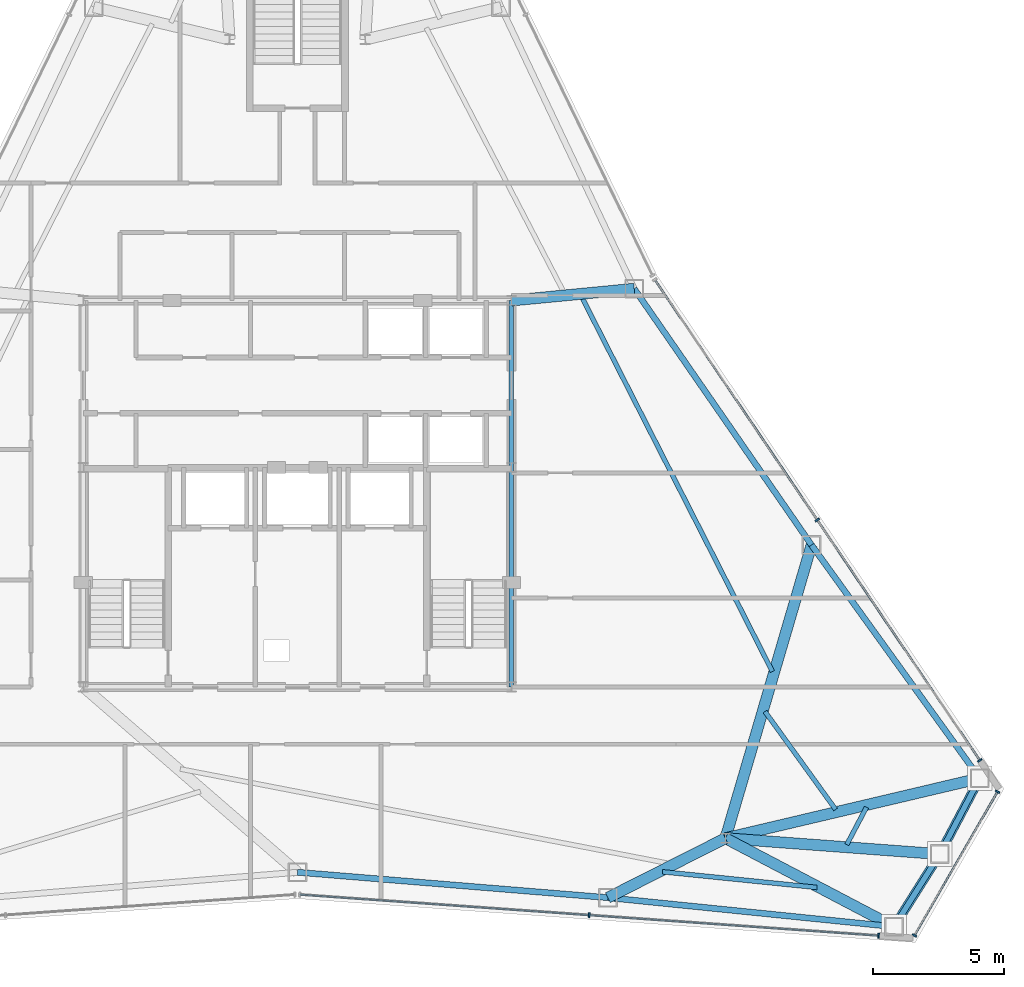
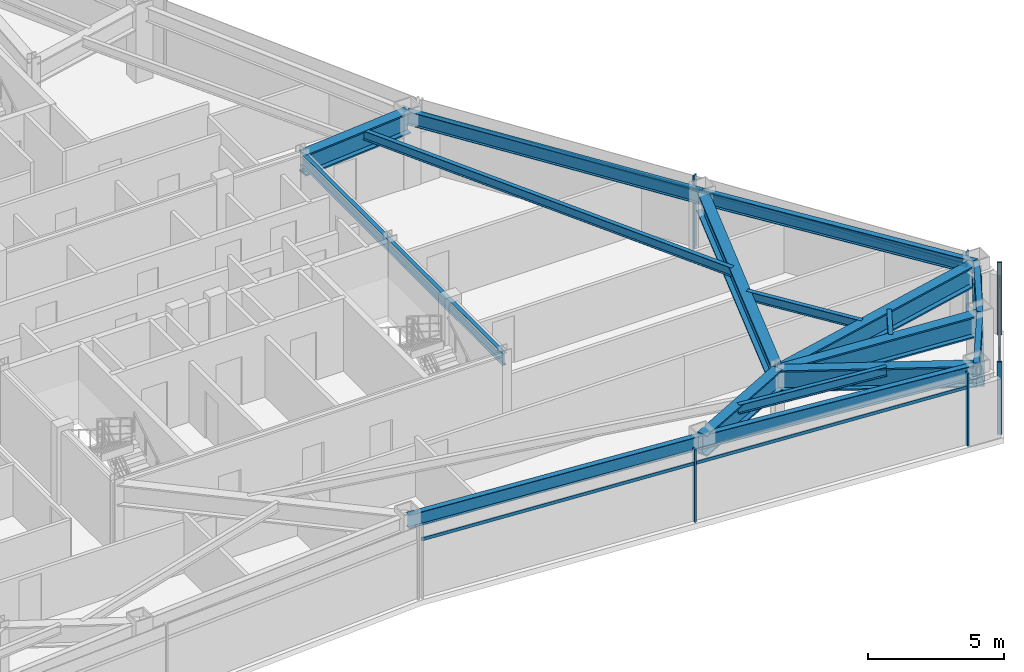
# One storey, part 6 of 12: 17 beams, 11 members, 3 elements without a shape of their own.
"""IFC4 building model written with IfcOpenShell, lengths in metres."""

from ifc_helpers import new_model, si_unit, direction, frame, origin, origin_2d, place, context, subcontext, project, spatial, rectangle, hollow_rectangle, i_section, extrude, source, transform, mapped, material, layer, layer_set, material_profile, profile_set, type_object, type_shapes, element, aggregate, save


model = new_model("IFC4")

# Units and contexts
model_context = context("Model", 3, precision=1e-05, world=origin(), true_north=direction((0.0, 1.0)))
body_context = subcontext(model_context, "Body", "Model", "MODEL_VIEW")
ifc_project = project(units=[si_unit("LENGTHUNIT", "METRE"), si_unit("AREAUNIT", "SQUARE_METRE"), si_unit("VOLUMEUNIT", "CUBIC_METRE"), si_unit("PLANEANGLEUNIT", "RADIAN"), si_unit("MASSUNIT", "GRAM", prefix="KILO")], contexts=[model_context])

# Site, building, storey
site_placement = place(None, origin())
site = spatial("IfcSite", under=ifc_project, at=site_placement, CompositionType="ELEMENT")
building_placement = place(site_placement, origin())
building = spatial("IfcBuilding", under=site, at=building_placement, Name="Varakhsha Concourse Tower", CompositionType="ELEMENT")
storey_placement = place(building_placement, frame((0.0, 0.0, 208.39990234375)))
storey = spatial("IfcBuildingStorey", under=building, at=storey_placement, Name="L59", CompositionType="ELEMENT", Elevation=208.39990234375)

# Beams
ifc_material_1 = material(Name="Structural Steel ASTM A992 Grade 50", Category="steel")
ifc_material_profile_1 = material_profile(ifc_material_1, i_section(OverallWidth=0.177978515625, OverallDepth=0.406982421875, WebThickness=0.008056640625, FlangeThickness=0.012939453125, at=origin_2d()), Name="W16X40")
ifc_profile_set_1 = profile_set([ifc_material_profile_1], Name="Structural Steel ASTM A992 Grade 50")
beam_type_1 = type_object("IfcBeamType", Name="BM-JST-W16X40", PredefinedType="JOIST", material=ifc_profile_set_1)
beam_1_placement = place(storey_placement, frame((53.988525390625, 9.314208984375, 3.046630859375), z_axis=(0.994880799666, -0.101055402902, 0.0), x_axis=(0.101055402902, 0.994880799666, 0.0)))
element("IfcBeam", 1, at=beam_1_placement, inside=storey, type_object=beam_type_1, Name="BM-TJST-L59-12", PredefinedType="JOIST", context=body_context, shape_type="SweptSolid", body=[
    extrude(i_section(OverallWidth=0.177978515625, OverallDepth=0.406982421875, WebThickness=0.008056640625, FlangeThickness=0.012939453125, at=origin_2d()), origin(), (0.0, 0.0, 1.0), 5.950439453125),
])
beam_2_placement = place(storey_placement, frame((61.04931640625, 10.356201171875, 3.046630859375), z_axis=(0.466578529468, 0.884479776953, 0.0), x_axis=(-0.884479776953, 0.466578529468, 0.0)))
element("IfcBeam", 2, at=beam_2_placement, inside=storey, type_object=beam_type_1, Name="BM-TJST-L59-14", PredefinedType="JOIST", context=body_context, shape_type="SweptSolid", body=[
    extrude(i_section(OverallWidth=0.177978515625, OverallDepth=0.406982421875, WebThickness=0.008056640625, FlangeThickness=0.012939453125, at=origin_2d()), origin(), (0.0, 0.0, 1.0), 1.6201171875),
])
beam_3_placement = place(storey_placement, frame((60.622802734375, 11.699951171875, 3.046630859375), z_axis=(-0.584929922195, 0.811083834213, 0.0), x_axis=(-0.811083834213, -0.584929922195, 0.0)))
element("IfcBeam", 3, at=beam_3_placement, inside=storey, type_object=beam_type_1, Name="BM-TJST-L59-15", PredefinedType="JOIST", context=body_context, shape_type="SweptSolid", body=[
    extrude(i_section(OverallWidth=0.177978515625, OverallDepth=0.406982421875, WebThickness=0.008056640625, FlangeThickness=0.012939453125, at=origin_2d()), origin(), (0.0, 0.0, 1.0), 4.6279296875),
])
beam_4_placement = place(storey_placement, frame((58.197265625, 16.989013671875, 3.046630859375), z_axis=(-0.453599715257, 0.891205530907, 0.0), x_axis=(-0.891205530907, -0.453599715257, 0.0)))
element("IfcBeam", 4, at=beam_4_placement, inside=storey, type_object=beam_type_1, Name="BM-TJST-L59-16", PredefinedType="JOIST", context=body_context, shape_type="SweptSolid", body=[
    extrude(i_section(OverallWidth=0.177978515625, OverallDepth=0.406982421875, WebThickness=0.008056640625, FlangeThickness=0.012939453125, at=origin_2d()), origin(), (0.0, 0.0, 1.0), 16.119384765625),
])
ifc_material_profile_2 = material_profile(ifc_material_1, i_section(OverallWidth=0.423095703125, OverallDepth=0.947998046875, WebThickness=0.0380859375, FlangeThickness=0.06396484375, at=origin_2d()), Name="W36X302")
ifc_profile_set_2 = profile_set([ifc_material_profile_2], Name="Structural Steel ASTM A992 Grade 50")
beam_type_2 = type_object("IfcBeamType", Name="BM-OUTR-W36X302", PredefinedType="USERDEFINED", material=ifc_profile_set_2)
beam_5_placement = place(storey_placement, frame((56.39990234375, 10.60009765625, 2.776123046875), z_axis=(-0.892365691824, -0.451313053274, 0.0), x_axis=(0.451313053274, -0.892365691824, 0.0)))
element("IfcBeam", 5, at=beam_5_placement, inside=storey, type_object=beam_type_2, Name="L59 Radial Floor Girder 12", ObjectType="GIRDER", PredefinedType="USERDEFINED", context=body_context, shape_type="SweptSolid", body=[
    extrude(i_section(OverallWidth=0.423095703125, OverallDepth=0.947998046875, WebThickness=0.0380859375, FlangeThickness=0.06396484375, at=origin_2d()), origin(), (0.0, 0.0, 1.0), 5.04443359375),
])
beam_6_placement = place(storey_placement, frame((56.39990234375, 10.60009765625, 2.776123046875), z_axis=(0.885501860742, -0.464635830111, 0.0), x_axis=(0.464635830111, 0.885501860742, 0.0)))
element("IfcBeam", 6, at=beam_6_placement, inside=storey, type_object=beam_type_2, Name="L59 Radial Floor Girder 13", ObjectType="GIRDER", PredefinedType="USERDEFINED", context=body_context, shape_type="SweptSolid", body=[
    extrude(i_section(OverallWidth=0.423095703125, OverallDepth=0.947998046875, WebThickness=0.0380859375, FlangeThickness=0.06396484375, at=origin_2d()), origin(), (0.0, 0.0, 1.0), 7.2958984375),
])
beam_7_placement = place(storey_placement, frame((56.39990234375, 10.60009765625, 2.776123046875), z_axis=(0.997261601939, -0.073954697607, 0.0), x_axis=(0.073954697607, 0.997261601939, 0.0)))
element("IfcBeam", 7, at=beam_7_placement, inside=storey, type_object=beam_type_2, Name="L59 Radial Floor Girder 14", ObjectType="GIRDER", PredefinedType="USERDEFINED", context=body_context, shape_type="SweptSolid", body=[
    extrude(i_section(OverallWidth=0.423095703125, OverallDepth=0.947998046875, WebThickness=0.0380859375, FlangeThickness=0.06396484375, at=origin_2d()), origin(), (0.0, 0.0, 1.0), 8.233154296875),
])
beam_8_placement = place(storey_placement, frame((56.39990234375, 10.60009765625, 2.776123046875), z_axis=(0.973318249516, 0.229459332257, 0.0), x_axis=(-0.229459332257, 0.973318249516, 0.0)))
element("IfcBeam", 8, at=beam_8_placement, inside=storey, type_object=beam_type_2, Name="L59 Radial Floor Girder 15", ObjectType="GIRDER", PredefinedType="USERDEFINED", context=body_context, shape_type="SweptSolid", body=[
    extrude(i_section(OverallWidth=0.423095703125, OverallDepth=0.947998046875, WebThickness=0.0380859375, FlangeThickness=0.06396484375, at=origin_2d()), origin(), (0.0, 0.0, 1.0), 10.010986328125),
])
beam_9_placement = place(storey_placement, frame((56.39990234375, 10.60009765625, 2.776123046875), z_axis=(0.281739548175, 0.959490920746, 0.0), x_axis=(-0.959490920746, 0.281739548175, 0.0)))
element("IfcBeam", 9, at=beam_9_placement, inside=storey, type_object=beam_type_2, Name="L59 Radial Floor Girder 16", ObjectType="GIRDER", PredefinedType="USERDEFINED", context=body_context, shape_type="SweptSolid", body=[
    extrude(i_section(OverallWidth=0.423095703125, OverallDepth=0.947998046875, WebThickness=0.0380859375, FlangeThickness=0.06396484375, at=origin_2d()), origin(), (0.0, 0.0, 1.0), 11.7080078125),
])
beam_10_placement = place(storey_placement, frame((48.199951171875, 31.199951171875, 2.776123046875), z_axis=(0.995426515274, 0.095530375746, 0.0), x_axis=(-0.095530375746, 0.995426515274, 0.0)))
element("IfcBeam", 10, at=beam_10_placement, inside=storey, type_object=beam_type_2, Name="L59 Radial Floor Girder 17", ObjectType="GIRDER", PredefinedType="USERDEFINED", context=body_context, shape_type="SweptSolid", body=[
    extrude(i_section(OverallWidth=0.423095703125, OverallDepth=0.947998046875, WebThickness=0.0380859375, FlangeThickness=0.06396484375, at=origin_2d()), origin(), (0.0, 0.0, 1.0), 4.72802734375),
])
ifc_material_profile_3 = material_profile(ifc_material_1, i_section(OverallWidth=0.1669921875, OverallDepth=0.534912109375, WebThickness=0.010009765625, FlangeThickness=0.01708984375, at=origin_2d()), Name="W21X57")
ifc_profile_set_3 = profile_set([ifc_material_profile_3], Name="Structural Steel ASTM A992 Grade 50")
beam_type_3 = type_object("IfcBeamType", Name="BM-RAD-W21X57", PredefinedType="BEAM", material=ifc_profile_set_3)
beam_11_placement = place(storey_placement, frame((48.199951171875, 16.39990234375, 2.982666015625), z_axis=(0.0, 1.0, 0.0), x_axis=(-1.0, 0.0, 0.0)))
element("IfcBeam", 11, at=beam_11_placement, inside=storey, type_object=beam_type_3, Name="BM-TCORE-L59-CE", PredefinedType="BEAM", context=body_context, shape_type="SweptSolid", body=[
    extrude(i_section(OverallWidth=0.1669921875, OverallDepth=0.534912109375, WebThickness=0.010009765625, FlangeThickness=0.01708984375, at=origin_2d()), origin(), (0.0, 0.0, 1.0), 14.800048828125),
])
ifc_material_profile_4 = material_profile(ifc_material_1, i_section(OverallWidth=0.22900390625, OverallDepth=0.612060546875, WebThickness=0.011962890625, FlangeThickness=0.02001953125, at=origin_2d()), Name="W24X84")
ifc_profile_set_4 = profile_set([ifc_material_profile_4], Name="Structural Steel ASTM A992 Grade 50")
beam_type_4 = type_object("IfcBeamType", Name="BM-SPAN-W24X84", PredefinedType="SPANDREL", material=ifc_profile_set_4)
beam_12_placement = place(storey_placement, frame((40.0, 9.297119140625, 2.944091796875), z_axis=(0.996668757849, -0.081556036735, 0.0), x_axis=(0.081556036735, 0.996668757849, 0.0)))
element("IfcBeam", 12, at=beam_12_placement, inside=storey, type_object=beam_type_4, Name="BM-SPAN-L59-11", PredefinedType="SPANDREL", context=body_context, shape_type="SweptSolid", body=[
    extrude(i_section(OverallWidth=0.22900390625, OverallDepth=0.612060546875, WebThickness=0.011962890625, FlangeThickness=0.02001953125, at=origin_2d()), origin(), (0.0, 0.0, 1.0), 11.938232421875),
])
beam_13_placement = place(storey_placement, frame((51.8984375, 8.323486328125, 2.944091796875), z_axis=(0.994882436683, -0.101039285329, 0.0), x_axis=(0.101039285329, 0.994882436683, 0.0)))
element("IfcBeam", 13, at=beam_13_placement, inside=storey, type_object=beam_type_4, Name="BM-SPAN-L59-12", PredefinedType="SPANDREL", context=body_context, shape_type="SweptSolid", body=[
    extrude(i_section(OverallWidth=0.22900390625, OverallDepth=0.612060546875, WebThickness=0.011962890625, FlangeThickness=0.02001953125, at=origin_2d()), origin(), (0.0, 0.0, 1.0), 11.018310546875),
])
beam_14_placement = place(storey_placement, frame((62.8603515625, 7.210205078125, 2.944091796875), z_axis=(0.532647729471, 0.846337046506, 0.0), x_axis=(-0.846337046506, 0.532647729471, 0.0)))
element("IfcBeam", 14, at=beam_14_placement, inside=storey, type_object=beam_type_4, Name="BM-SPAN-L59-13", PredefinedType="SPANDREL", context=body_context, shape_type="SweptSolid", body=[
    extrude(i_section(OverallWidth=0.22900390625, OverallDepth=0.612060546875, WebThickness=0.011962890625, FlangeThickness=0.02001953125, at=origin_2d()), origin(), (0.0, 0.0, 1.0), 3.285888671875),
])
beam_15_placement = place(storey_placement, frame((64.610595703125, 9.9912109375, 2.944091796875), z_axis=(0.466634310193, 0.884450349398, 0.0), x_axis=(-0.884450349398, 0.466634310193, 0.0)))
element("IfcBeam", 15, at=beam_15_placement, inside=storey, type_object=beam_type_4, Name="BM-SPAN-L59-14", PredefinedType="SPANDREL", context=body_context, shape_type="SweptSolid", body=[
    extrude(i_section(OverallWidth=0.22900390625, OverallDepth=0.612060546875, WebThickness=0.011962890625, FlangeThickness=0.02001953125, at=origin_2d()), origin(), (0.0, 0.0, 1.0), 3.28564453125),
])
beam_16_placement = place(storey_placement, frame((66.143798828125, 12.897216796875, 2.944091796875), z_axis=(-0.584962960084, 0.811060007231, 0.0), x_axis=(-0.811060007231, -0.584962960084, 0.0)))
element("IfcBeam", 16, at=beam_16_placement, inside=storey, type_object=beam_type_4, Name="BM-SPAN-L59-15", PredefinedType="SPANDREL", context=body_context, shape_type="SweptSolid", body=[
    extrude(i_section(OverallWidth=0.22900390625, OverallDepth=0.612060546875, WebThickness=0.011962890625, FlangeThickness=0.02001953125, at=origin_2d()), origin(), (0.0, 0.0, 1.0), 11.018310546875),
])
beam_17_placement = place(storey_placement, frame((59.698486328125, 21.833740234375, 2.944091796875), z_axis=(-0.568940907467, 0.822378406703, 0.0), x_axis=(-0.822378406703, -0.568940907467, 0.0)))
element("IfcBeam", 17, at=beam_17_placement, inside=storey, type_object=beam_type_4, Name="BM-SPAN-L59-16", PredefinedType="SPANDREL", context=body_context, shape_type="SweptSolid", body=[
    extrude(i_section(OverallWidth=0.22900390625, OverallDepth=0.612060546875, WebThickness=0.011962890625, FlangeThickness=0.02001953125, at=origin_2d()), origin(), (0.0, 0.0, 1.0), 11.9384765625),
])

# Members
ifc_material_2 = material(Name="Structural Steel ASTM A500 Grade C", Category="steel")
ifc_material_profile_5 = material_profile(ifc_material_2, hollow_rectangle(XDim=0.35009765625, YDim=0.35009765625, WallThickness=0.01611328125, at=origin_2d()), Name="HSS 350x350x16")
ifc_profile_set_5 = profile_set([ifc_material_profile_5], Name="Structural Steel ASTM A500 Grade C")
member_type_1 = type_object("IfcMemberType", Name="MB-TUBE-HSS350", PredefinedType="BRACE", material=ifc_profile_set_5)
shared_shape_1 = source(origin(), body_context, "Body", "SweptSolid", [
    extrude(hollow_rectangle(XDim=0.35009765625, YDim=0.35009765625, WallThickness=0.01611328125, at=origin_2d()), origin(), (0.0, 0.0, 1.0), 4.33642578125),
])
member_1_placement = place(storey_placement, frame((64.610595703125, 9.9912109375, 0.1201171875), z_axis=(0.353560633732, 0.670132519637, 0.652623386342), x_axis=(-0.884450349398, 0.466634310193, 0.0)))
element("IfcMember", 18, at=member_1_placement, inside=storey, type_object=member_type_1, Name="L59 Wind-Corner Tube Brace B06", PredefinedType="BRACE", context=body_context, shape_type="MappedRepresentation", body=[
    mapped(shared_shape_1, transform((0.0, 0.0, 0.0), scale=1.0)),
])
shared_shape_2 = source(origin(), body_context, "Body", "SweptSolid", [
    extrude(hollow_rectangle(XDim=0.35009765625, YDim=0.35009765625, WallThickness=0.01611328125, at=origin_2d()), origin(), (0.0, 0.0, 1.0), 4.336669921875),
])
type_shapes(member_type_1, [shared_shape_1, shared_shape_2])
member_2_placement = place(storey_placement, frame((64.610595703125, 9.9912109375, 0.1201171875), z_axis=(-0.403591903834, -0.641277078612, 0.652592739468), x_axis=(0.846337046506, -0.532647729471, 0.0)))
element("IfcMember", 19, at=member_2_placement, inside=storey, type_object=member_type_1, Name="L59 Wind-Corner Tube Brace B05", PredefinedType="BRACE", context=body_context, shape_type="MappedRepresentation", body=[
    mapped(shared_shape_2, transform((0.0, 0.0, 0.0), scale=1.0)),
])

# Curtain wall, members
ifc_material_3 = material(Name="Anodised Bronze Architectural Aluminium AA 6063-T6", Category="aluminium")
ifc_layer = layer(ifc_material_3, 0.199951171875, Name="CW-SYS-05")
ifc_layer_set = layer_set([ifc_layer], Name="Anodised Bronze Architectural Aluminium AA 6063-T6")
curtain_wall_type = type_object("IfcCurtainWallType", Name="CW-SYS-05", PredefinedType="NOTDEFINED", material=ifc_layer_set)
curtain_wall_1_placement = place(storey_placement, origin())
curtain_wall_1 = element("IfcCurtainWall", 20, at=curtain_wall_1_placement, inside=storey, type_object=curtain_wall_type, Name="L59 Crystal Curtain Wall F6", PredefinedType="NOTDEFINED")
ifc_material_profile_6 = material_profile(ifc_material_3, rectangle(XDim=0.06494140625, YDim=0.179931640625, at=origin_2d()), Name="CWM-180X65")
ifc_profile_set_6 = profile_set([ifc_material_profile_6], Name="Anodised Bronze Architectural Aluminium AA 6063-T6")
member_type_2 = type_object("IfcMemberType", Name="CWM-180X65", PredefinedType="MULLION", material=ifc_profile_set_6)
shared_shape_3 = source(origin(), body_context, "Body", "SweptSolid", [
    extrude(rectangle(XDim=0.06494140625, YDim=0.179931640625, at=origin_2d()), origin(), (0.0, 0.0, 1.0), 3.25),
])
type_shapes(member_type_2, [shared_shape_3])
member_3_placement = place(storey_placement, frame((62.267578125, 6.86669921875, 0.0), z_axis=(0.0, 0.0, 1.0), x_axis=(-0.997496012116, 0.070722739, 0.0)))
member_3 = element("IfcMember", 21, at=member_3_placement, type_object=member_type_2, Name="CW-L59-F6 Mullion 00", PredefinedType="MULLION", context=body_context, shape_type="MappedRepresentation", body=[
    mapped(shared_shape_3, transform((0.0, 0.0, 0.0), scale=1.0)),
])
member_4_placement = place(storey_placement, frame((51.17919921875, 7.65283203125, 0.0), z_axis=(0.0, 0.0, 1.0), x_axis=(-0.997496012116, 0.070722739, 0.0)))
member_4 = element("IfcMember", 22, at=member_4_placement, type_object=member_type_2, Name="CW-L59-F6 Mullion 01", PredefinedType="MULLION", context=body_context, shape_type="MappedRepresentation", body=[
    mapped(shared_shape_3, transform((0.0, 0.0, 0.0), scale=1.0)),
])

curtain_wall_2_placement = place(storey_placement, origin())
curtain_wall_2 = element("IfcCurtainWall", 23, at=curtain_wall_2_placement, inside=storey, type_object=curtain_wall_type, Name="L59 Chamfer Curtain Wall F7", PredefinedType="NOTDEFINED")
member_5_placement = place(storey_placement, frame((66.823974609375, 12.385009765625, 0.0), z_axis=(0.0, 0.0, 1.0), x_axis=(-0.49999395399, -0.866028894422, 0.0)))
member_5 = element("IfcMember", 24, at=member_5_placement, type_object=member_type_2, Name="CW-L59-F7 Mullion 00", PredefinedType="MULLION", context=body_context, shape_type="MappedRepresentation", body=[
    mapped(shared_shape_3, transform((0.0, 0.0, 0.0), scale=1.0)),
])
member_6_placement = place(storey_placement, frame((63.64404296875, 6.877197265625, 0.0), z_axis=(0.0, 0.0, 1.0), x_axis=(-0.49999395399, -0.866028894422, 0.0)))
member_6 = element("IfcMember", 25, at=member_6_placement, type_object=member_type_2, Name="CW-L59-F7 Mullion 01", PredefinedType="MULLION", context=body_context, shape_type="MappedRepresentation", body=[
    mapped(shared_shape_3, transform((0.0, 0.0, 0.0), scale=1.0)),
])

curtain_wall_3_placement = place(storey_placement, origin())
curtain_wall_3 = element("IfcCurtainWall", 26, at=curtain_wall_3_placement, inside=storey, type_object=curtain_wall_type, Name="L59 Crystal Curtain Wall F8", PredefinedType="NOTDEFINED")
member_7_placement = place(storey_placement, frame((59.919921875, 22.7919921875, 0.0), z_axis=(0.0, 0.0, 1.0), x_axis=(0.559998586649, -0.828493562408, 0.0)))
member_7 = element("IfcMember", 27, at=member_7_placement, type_object=member_type_2, Name="CW-L59-F8 Mullion 01", PredefinedType="MULLION", context=body_context, shape_type="MappedRepresentation", body=[
    mapped(shared_shape_3, transform((0.0, 0.0, 0.0), scale=1.0)),
])
member_8_placement = place(storey_placement, frame((66.144775390625, 13.58251953125, 0.0), z_axis=(0.0, 0.0, 1.0), x_axis=(0.559998586649, -0.828493562408, 0.0)))
member_8 = element("IfcMember", 28, at=member_8_placement, type_object=member_type_2, Name="CW-L59-F8 Mullion 02", PredefinedType="MULLION", context=body_context, shape_type="MappedRepresentation", body=[
    mapped(shared_shape_3, transform((0.0, 0.0, 0.0), scale=1.0)),
])

# Member
ifc_material_profile_7 = material_profile(ifc_material_3, rectangle(XDim=0.06005859375, YDim=0.139892578125, at=origin_2d()), Name="CWT-140X60")
ifc_profile_set_7 = profile_set([ifc_material_profile_7], Name="Anodised Bronze Architectural Aluminium AA 6063-T6")
member_type_3 = type_object("IfcMemberType", Name="CWT-140X60", PredefinedType="USERDEFINED", material=ifc_profile_set_7)
shared_shape_4 = source(origin(), body_context, "Body", "SweptSolid", [
    extrude(rectangle(XDim=0.06005859375, YDim=0.139892578125, at=origin_2d()), origin(), (0.0, 0.0, 1.0), 22.232177734375),
])
member_9_placement = place(storey_placement, frame((62.267578125, 6.86669921875, 2.60009765625), z_axis=(-0.997496187384, 0.070720266932, 0.0), x_axis=(-0.070720266932, -0.997496187384, 0.0)))
member_9 = element("IfcMember", 29, at=member_9_placement, type_object=member_type_3, Name="CW-L59-F6 Transom 01", ObjectType="TRANSOM", PredefinedType="USERDEFINED", context=body_context, shape_type="MappedRepresentation", body=[
    mapped(shared_shape_4, transform((0.0, 0.0, 0.0), scale=1.0)),
])

aggregate(curtain_wall_1, [member_3, member_4, member_9])

member_10_placement = place(storey_placement, frame((53.69482421875, 32.001708984375, 2.60009765625), z_axis=(0.559998002966, -0.828493956933, 0.0), x_axis=(0.828493956933, 0.559998002966, 0.0)))
member_10 = element("IfcMember", 30, at=member_10_placement, type_object=member_type_3, Name="CW-L59-F8 Transom 01", ObjectType="TRANSOM", PredefinedType="USERDEFINED", context=body_context, shape_type="MappedRepresentation", body=[
    mapped(shared_shape_4, transform((0.0, 0.0, 0.0), scale=1.0)),
])

aggregate(curtain_wall_3, [member_7, member_8, member_10])

shared_shape_5 = source(origin(), body_context, "Body", "SweptSolid", [
    extrude(rectangle(XDim=0.06005859375, YDim=0.139892578125, at=origin_2d()), origin(), (0.0, 0.0, 1.0), 6.35986328125),
])
type_shapes(member_type_3, [shared_shape_4, shared_shape_5])
member_11_placement = place(storey_placement, frame((66.823974609375, 12.385009765625, 2.60009765625), z_axis=(-0.499999364504, -0.866025770688, 0.0), x_axis=(0.866025770688, -0.499999364504, 0.0)))
member_11 = element("IfcMember", 31, at=member_11_placement, type_object=member_type_3, Name="CW-L59-F7 Transom 01", ObjectType="TRANSOM", PredefinedType="USERDEFINED", context=body_context, shape_type="MappedRepresentation", body=[
    mapped(shared_shape_5, transform((0.0, 0.0, 0.0), scale=1.0)),
])

aggregate(curtain_wall_2, [member_5, member_6, member_11])

save(model, "model.ifc")
